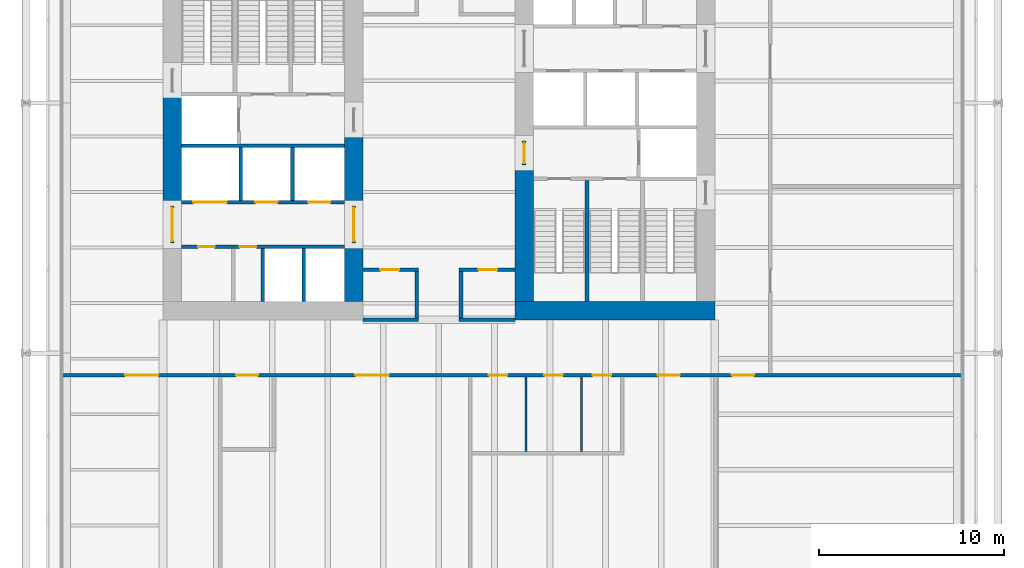
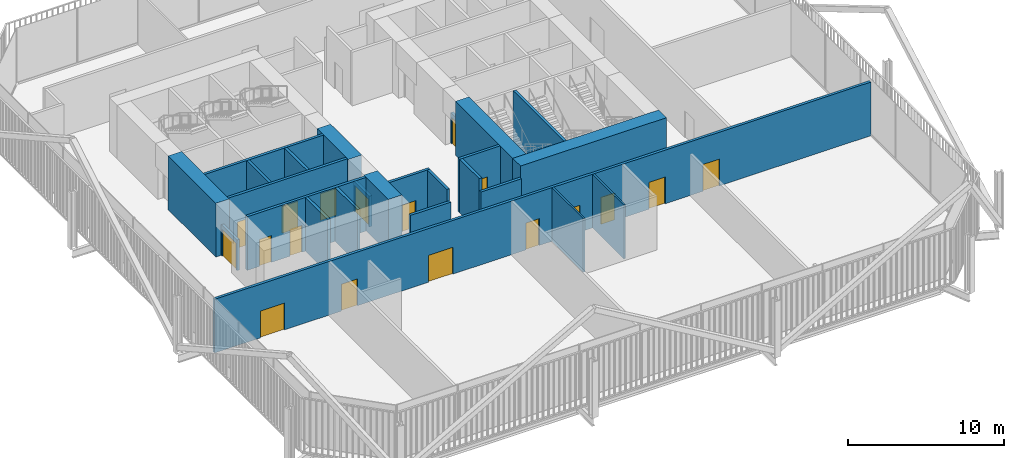
# One storey, part 17 of 21: 25 walls, 18 doors, 18 openings.
"""IFC4 building model written with IfcOpenShell, lengths in metres."""

from ifc_helpers import new_model, si_unit, direction, frame, frame_2d, origin, place, context, subcontext, project, spatial, rectangle, extrude, material, layer, layer_set, type_object, element, fill, save


model = new_model("IFC4")

# Units and contexts
model_context = context("Model", 3, precision=1e-05, world=origin(), true_north=direction((0.0, 1.0)))
body_context = subcontext(model_context, "Body", "Model", "MODEL_VIEW")
ifc_project = project(units=[si_unit("LENGTHUNIT", "METRE"), si_unit("AREAUNIT", "SQUARE_METRE"), si_unit("VOLUMEUNIT", "CUBIC_METRE"), si_unit("PLANEANGLEUNIT", "RADIAN"), si_unit("MASSUNIT", "GRAM", prefix="KILO")], contexts=[model_context])

# Site, building, storey
site_placement = place(None, origin())
site = spatial("IfcSite", under=ifc_project, at=site_placement, CompositionType="ELEMENT")
building_placement = place(site_placement, origin())
building = spatial("IfcBuilding", under=site, at=building_placement, Name="Millrace Tower", CompositionType="ELEMENT")
storey_placement = place(building_placement, frame((0.0, 0.0, 82.0)))
storey = spatial("IfcBuildingStorey", under=building, at=storey_placement, Name="L18", CompositionType="ELEMENT", Elevation=82.0)

# Walls
ifc_material_1 = material(Name="Concrete C80", Category="concrete")
ifc_layer_1 = layer(ifc_material_1, 1.0)
ifc_layer_set_1 = layer_set([ifc_layer_1], Name="Concrete C80")
wall_type_1 = type_object("IfcWallType", Name="Core wall 1000 Concrete C80", PredefinedType="SHEAR", material=ifc_layer_set_1)
wall_1_placement = place(storey_placement, frame((-14.39990234375, -3.75, 0.0), z_axis=(0.0, 0.0, 1.0), x_axis=(0.0, 1.0, 0.0)))
element("IfcWall", 1, at=wall_1_placement, inside=storey, type_object=wall_type_1, Name="Core wall W L18", PredefinedType="SHEAR", context=body_context, shape_type="SweptSolid", body=[
    extrude(rectangle(XDim=6.1298828125, YDim=1.0, at=frame_2d((3.06494140625, 0.0))), origin(), (0.0, 0.0, 1.0), 4.199951171875),
])
wall_2_placement = place(storey_placement, frame((-4.60009765625, -8.89990234375, 0.0), z_axis=(0.0, 0.0, 1.0), x_axis=(0.0, 1.0, 0.0)))
element("IfcWall", 2, at=wall_2_placement, inside=storey, type_object=wall_type_1, Name="Core wall W L18", PredefinedType="SHEAR", context=body_context, shape_type="SweptSolid", body=[
    extrude(rectangle(XDim=3.14990234375, YDim=1.0, at=frame_2d((1.574951171875, 0.0))), origin(), (0.0, 0.0, 1.0), 4.199951171875),
])
wall_3_placement = place(storey_placement, frame((-4.60009765625, -3.75, 0.0), z_axis=(0.0, 0.0, 1.0), x_axis=(0.0, 1.0, 0.0)))
element("IfcWall", 3, at=wall_3_placement, inside=storey, type_object=wall_type_1, Name="Core wall W L18", PredefinedType="SHEAR", context=body_context, shape_type="SweptSolid", body=[
    extrude(rectangle(XDim=4.0, YDim=1.0, at=frame_2d((2.0, 0.0))), origin(), (0.0, 0.0, 1.0), 4.199951171875),
])
wall_4_placement = place(storey_placement, frame((14.89990234375, -9.39990234375, 0.0), z_axis=(0.0, 0.0, 1.0), x_axis=(-1.0, 0.0, 0.0)))
element("IfcWall", 4, at=wall_4_placement, inside=storey, type_object=wall_type_1, Name="Core wall E L18", PredefinedType="SHEAR", context=body_context, shape_type="SweptSolid", body=[
    extrude(rectangle(XDim=10.7998046875, YDim=1.0, at=frame_2d((5.39990234375, 0.0))), origin(), (0.0, 0.0, 1.0), 4.199951171875),
])
wall_5_placement = place(storey_placement, frame((4.60009765625, -1.550048828125, 0.0), z_axis=(0.0, 0.0, 1.0), x_axis=(0.0, -1.0, 0.0)))
element("IfcWall", 5, at=wall_5_placement, inside=storey, type_object=wall_type_1, Name="Core wall E L18", PredefinedType="SHEAR", context=body_context, shape_type="SweptSolid", body=[
    extrude(rectangle(XDim=7.349853515625, YDim=1.0, at=frame_2d((3.6748046875, 0.0))), origin(), (0.0, 0.0, 1.0), 4.199951171875),
])

# Wall, openings, doors
ifc_material_2 = material(Name="Masonry partition, fire-rated", Category="masonry")
ifc_layer_2 = layer(ifc_material_2, 0.199951171875)
ifc_layer_set_2 = layer_set([ifc_layer_2], Name="Masonry partition, fire-rated")
wall_type_2 = type_object("IfcWallType", Name="Corridor wall 200", PredefinedType="PARTITIONING", material=ifc_layer_set_2)
wall_6_placement = place(storey_placement, frame((-20.330078125, -12.89990234375, 0.0), z_axis=(0.0, 0.0, 1.0), x_axis=(1.0, 0.0, 0.0)))
wall_6 = element("IfcWall", 6, at=wall_6_placement, inside=storey, type_object=wall_type_2, Name="Corridor wall L18", PredefinedType="PARTITIONING", context=body_context, shape_type="SweptSolid", body=[
    extrude(rectangle(XDim=48.56005859375, YDim=0.199951171875, at=frame_2d((24.280029296875, 0.0))), origin(), (0.0, 0.0, 1.0), 4.199951171875),
])
opening_1_placement = place(wall_6_placement, frame((3.389892578125, 0.0, 0.0)))
opening_1 = element("IfcOpeningElement", 7, at=opening_1_placement, cuts=wall_6, Name="Opening 18-P005", PredefinedType="OPENING", context=body_context, shape_type="SweptSolid", body=[
    extrude(rectangle(XDim=1.800048828125, YDim=2.10009765625, at=frame_2d((0.89990234375, 1.050048828125))), frame((0.0, 0.10986328125, 0.0), z_axis=(0.0, -1.0, 0.0), x_axis=(1.0, 0.0, 0.0)), (0.0, 0.0, 1.0), 0.219970703125),
])
opening_2_placement = place(wall_6_placement, frame((15.830078125, 0.0, 0.0)))
opening_2 = element("IfcOpeningElement", 8, at=opening_2_placement, cuts=wall_6, Name="Opening 18-P006", PredefinedType="OPENING", context=body_context, shape_type="SweptSolid", body=[
    extrude(rectangle(XDim=1.800048828125, YDim=2.10009765625, at=frame_2d((0.89990234375, 1.050048828125))), frame((0.0, 0.10986328125, 0.0), z_axis=(0.0, -1.0, 0.0), x_axis=(1.0, 0.0, 0.0)), (0.0, 0.0, 1.0), 0.219970703125),
])
opening_3_placement = place(wall_6_placement, frame((9.3798828125, 0.0, 0.0)))
opening_3 = element("IfcOpeningElement", 9, at=opening_3_placement, cuts=wall_6, Name="Opening 18-P007", PredefinedType="OPENING", context=body_context, shape_type="SweptSolid", body=[
    extrude(rectangle(XDim=1.199951171875, YDim=2.10009765625, at=frame_2d((0.60009765625, 1.050048828125))), frame((0.0, 0.10986328125, 0.0), z_axis=(0.0, -1.0, 0.0), x_axis=(1.0, 0.0, 0.0)), (0.0, 0.0, 1.0), 0.219970703125),
])
opening_4_placement = place(wall_6_placement, frame((32.14990234375, 0.0, 0.0)))
opening_4 = element("IfcOpeningElement", 10, at=opening_4_placement, cuts=wall_6, Name="Opening 18-P008", PredefinedType="OPENING", context=body_context, shape_type="SweptSolid", body=[
    extrude(rectangle(XDim=1.199951171875, YDim=2.10009765625, at=frame_2d((0.60009765625, 1.050048828125))), frame((0.0, 0.10986328125, 0.0), z_axis=(0.0, -1.0, 0.0), x_axis=(1.0, 0.0, 0.0)), (0.0, 0.0, 1.0), 0.219970703125),
])
opening_5_placement = place(wall_6_placement, frame((36.155029296875, 0.0, 0.0)))
opening_5 = element("IfcOpeningElement", 11, at=opening_5_placement, cuts=wall_6, Name="Opening 18-P009", PredefinedType="OPENING", context=body_context, shape_type="SweptSolid", body=[
    extrude(rectangle(XDim=1.199951171875, YDim=2.10009765625, at=frame_2d((0.60009765625, 1.050048828125))), frame((0.0, 0.10986328125, 0.0), z_axis=(0.0, -1.0, 0.0), x_axis=(1.0, 0.0, 0.0)), (0.0, 0.0, 1.0), 0.219970703125),
])
opening_6_placement = place(wall_6_placement, frame((23.030029296875, 0.0, 0.0)))
opening_6 = element("IfcOpeningElement", 12, at=opening_6_placement, cuts=wall_6, Name="Opening 18-P017", PredefinedType="OPENING", context=body_context, shape_type="SweptSolid", body=[
    extrude(rectangle(XDim=1.0, YDim=2.10009765625, at=frame_2d((0.5, 1.050048828125))), frame((0.0, 0.10986328125, 0.0), z_axis=(0.0, -1.0, 0.0), x_axis=(1.0, 0.0, 0.0)), (0.0, 0.0, 1.0), 0.219970703125),
])
opening_7_placement = place(wall_6_placement, frame((26.030029296875, 0.0, 0.0)))
opening_7 = element("IfcOpeningElement", 13, at=opening_7_placement, cuts=wall_6, Name="Opening 18-P018", PredefinedType="OPENING", context=body_context, shape_type="SweptSolid", body=[
    extrude(rectangle(XDim=1.0, YDim=2.10009765625, at=frame_2d((0.5, 1.050048828125))), frame((0.0, 0.10986328125, 0.0), z_axis=(0.0, -1.0, 0.0), x_axis=(1.0, 0.0, 0.0)), (0.0, 0.0, 1.0), 0.219970703125),
])
opening_8_placement = place(wall_6_placement, frame((28.6298828125, 0.0, 0.0)))
opening_8 = element("IfcOpeningElement", 14, at=opening_8_placement, cuts=wall_6, Name="Opening 18-P019", PredefinedType="OPENING", context=body_context, shape_type="SweptSolid", body=[
    extrude(rectangle(XDim=1.0, YDim=2.10009765625, at=frame_2d((0.5, 1.050048828125))), frame((0.0, 0.10986328125, 0.0), z_axis=(0.0, -1.0, 0.0), x_axis=(1.0, 0.0, 0.0)), (0.0, 0.0, 1.0), 0.219970703125),
])
ifc_material_3 = material(Name="Steel door set, fire-rated", Category="steel")
door_type_1 = type_object("IfcDoorType", Name="Corridor door 1000 x 2100", OperationType="SINGLE_SWING_LEFT", PredefinedType="DOOR", material=ifc_material_3)
door_1_placement = place(opening_6_placement, frame((1.0, 0.0, 0.0), z_axis=(0.0, 0.0, 1.0), x_axis=(-1.0, 0.0, 0.0)))
door_1 = element("IfcDoor", 15, at=door_1_placement, inside=storey, type_object=door_type_1, Name="Door 18-P017", OperationType="SINGLE_SWING_RIGHT", OverallHeight=2.10009765625, OverallWidth=1.0, PredefinedType="DOOR", context=body_context, shape_type="SweptSolid", body=[
    extrude(rectangle(XDim=1.0, YDim=2.10009765625, at=frame_2d((0.5, 1.050048828125))), frame((0.0, 0.02490234375, 0.0), z_axis=(0.0, -1.0, 0.0), x_axis=(1.0, 0.0, 0.0)), (0.0, 0.0, 1.0), 0.050048828125),
])
fill(opening_6, door_1)
door_2_placement = place(opening_7_placement, frame((1.0, 0.0, 0.0), z_axis=(0.0, 0.0, 1.0), x_axis=(-1.0, 0.0, 0.0)))
door_2 = element("IfcDoor", 16, at=door_2_placement, inside=storey, type_object=door_type_1, Name="Door 18-P018", OperationType="SINGLE_SWING_LEFT", OverallHeight=2.10009765625, OverallWidth=1.0, PredefinedType="DOOR", context=body_context, shape_type="SweptSolid", body=[
    extrude(rectangle(XDim=1.0, YDim=2.10009765625, at=frame_2d((0.5, 1.050048828125))), frame((0.0, 0.02490234375, 0.0), z_axis=(0.0, -1.0, 0.0), x_axis=(1.0, 0.0, 0.0)), (0.0, 0.0, 1.0), 0.050048828125),
])
fill(opening_7, door_2)
door_3_placement = place(opening_8_placement, frame((1.0, 0.0, 0.0), z_axis=(0.0, 0.0, 1.0), x_axis=(-1.0, 0.0, 0.0)))
door_3 = element("IfcDoor", 17, at=door_3_placement, inside=storey, type_object=door_type_1, Name="Door 18-P019", OperationType="SINGLE_SWING_LEFT", OverallHeight=2.10009765625, OverallWidth=1.0, PredefinedType="DOOR", context=body_context, shape_type="SweptSolid", body=[
    extrude(rectangle(XDim=1.0, YDim=2.10009765625, at=frame_2d((0.5, 1.050048828125))), frame((0.0, 0.02490234375, 0.0), z_axis=(0.0, -1.0, 0.0), x_axis=(1.0, 0.0, 0.0)), (0.0, 0.0, 1.0), 0.050048828125),
])
fill(opening_8, door_3)
ifc_material_4 = material(Name="Steel door set, fire-rated", Category="steel")
door_type_2 = type_object("IfcDoorType", Name="Corridor door 1200 x 2100", OperationType="SINGLE_SWING_LEFT", PredefinedType="DOOR", material=ifc_material_4)
door_4_placement = place(opening_3_placement, frame((1.199951171875, 0.0, 0.0), z_axis=(0.0, 0.0, 1.0), x_axis=(-1.0, 0.0, 0.0)))
door_4 = element("IfcDoor", 18, at=door_4_placement, inside=storey, type_object=door_type_2, Name="Door 18-P007", OperationType="SINGLE_SWING_RIGHT", OverallHeight=2.10009765625, OverallWidth=1.199951171875, PredefinedType="DOOR", context=body_context, shape_type="SweptSolid", body=[
    extrude(rectangle(XDim=1.199951171875, YDim=2.10009765625, at=frame_2d((0.60009765625, 1.050048828125))), frame((0.0, 0.02490234375, 0.0), z_axis=(0.0, -1.0, 0.0), x_axis=(1.0, 0.0, 0.0)), (0.0, 0.0, 1.0), 0.050048828125),
])
fill(opening_3, door_4)
ifc_material_5 = material(Name="Steel door set, fire-rated", Category="steel")
door_type_3 = type_object("IfcDoorType", Name="Data hall door 1200 x 2100", OperationType="SINGLE_SWING_LEFT", PredefinedType="DOOR", material=ifc_material_5)
door_5_placement = place(opening_4_placement, frame((1.199951171875, 0.0, 0.0), z_axis=(0.0, 0.0, 1.0), x_axis=(-1.0, 0.0, 0.0)))
door_5 = element("IfcDoor", 19, at=door_5_placement, inside=storey, type_object=door_type_3, Name="Door 18-P008", OperationType="SINGLE_SWING_LEFT", OverallHeight=2.10009765625, OverallWidth=1.199951171875, PredefinedType="DOOR", context=body_context, shape_type="SweptSolid", body=[
    extrude(rectangle(XDim=1.199951171875, YDim=2.10009765625, at=frame_2d((0.60009765625, 1.050048828125))), frame((0.0, 0.02490234375, 0.0), z_axis=(0.0, -1.0, 0.0), x_axis=(1.0, 0.0, 0.0)), (0.0, 0.0, 1.0), 0.050048828125),
])
fill(opening_4, door_5)
door_6_placement = place(opening_5_placement, frame((1.199951171875, 0.0, 0.0), z_axis=(0.0, 0.0, 1.0), x_axis=(-1.0, 0.0, 0.0)))
door_6 = element("IfcDoor", 20, at=door_6_placement, inside=storey, type_object=door_type_3, Name="Door 18-P009", OperationType="SINGLE_SWING_LEFT", OverallHeight=2.10009765625, OverallWidth=1.199951171875, PredefinedType="DOOR", context=body_context, shape_type="SweptSolid", body=[
    extrude(rectangle(XDim=1.199951171875, YDim=2.10009765625, at=frame_2d((0.60009765625, 1.050048828125))), frame((0.0, 0.02490234375, 0.0), z_axis=(0.0, -1.0, 0.0), x_axis=(1.0, 0.0, 0.0)), (0.0, 0.0, 1.0), 0.050048828125),
])
fill(opening_5, door_6)
ifc_material_6 = material(Name="Steel door set, fire-rated", Category="steel")
door_type_4 = type_object("IfcDoorType", Name="Data hall door 1800 x 2100", OperationType="DOUBLE_DOOR_SINGLE_SWING", PredefinedType="DOOR", material=ifc_material_6)
door_7_placement = place(opening_1_placement, frame((1.800048828125, 0.0, 0.0), z_axis=(0.0, 0.0, 1.0), x_axis=(-1.0, 0.0, 0.0)))
door_7 = element("IfcDoor", 21, at=door_7_placement, inside=storey, type_object=door_type_4, Name="Door 18-P005", OperationType="DOUBLE_DOOR_SINGLE_SWING", OverallHeight=2.10009765625, OverallWidth=1.800048828125, PredefinedType="DOOR", context=body_context, shape_type="SweptSolid", body=[
    extrude(rectangle(XDim=1.800048828125, YDim=2.10009765625, at=frame_2d((0.89990234375, 1.050048828125))), frame((0.0, 0.02490234375, 0.0), z_axis=(0.0, -1.0, 0.0), x_axis=(1.0, 0.0, 0.0)), (0.0, 0.0, 1.0), 0.050048828125),
])
fill(opening_1, door_7)
door_8_placement = place(opening_2_placement, frame((1.800048828125, 0.0, 0.0), z_axis=(0.0, 0.0, 1.0), x_axis=(-1.0, 0.0, 0.0)))
door_8 = element("IfcDoor", 22, at=door_8_placement, inside=storey, type_object=door_type_4, Name="Door 18-P006", OperationType="DOUBLE_DOOR_SINGLE_SWING", OverallHeight=2.10009765625, OverallWidth=1.800048828125, PredefinedType="DOOR", context=body_context, shape_type="SweptSolid", body=[
    extrude(rectangle(XDim=1.800048828125, YDim=2.10009765625, at=frame_2d((0.89990234375, 1.050048828125))), frame((0.0, 0.02490234375, 0.0), z_axis=(0.0, -1.0, 0.0), x_axis=(1.0, 0.0, 0.0)), (0.0, 0.0, 1.0), 0.050048828125),
])
fill(opening_2, door_8)

# Walls
for number, where, z_axis, x_axis, name in (
    (23, (-4.10009765625, -9.89990234375, 0.0), (0.0, 0.0, 1.0), (1.0, 0.0, 0.0), "Corridor wall L18"),
    (24, (1.10009765625, -9.89990234375, 0.0), (0.0, 0.0, 1.0), (1.0, 0.0, 0.0), "Corridor wall L18"),
):
    element("IfcWall", number, at=place(storey_placement, frame(where, z_axis=z_axis, x_axis=x_axis)), inside=storey, type_object=wall_type_2, Name=name, PredefinedType="PARTITIONING", context=body_context, shape_type="SweptSolid", body=[
        extrude(rectangle(XDim=3.0, YDim=0.199951171875, at=frame_2d((1.5, 0.0))), origin(), (0.0, 0.0, 1.0), 3.2626953125),
    ])

# Wall, opening, door
wall_7_placement = place(storey_placement, frame((-4.10009765625, -7.199951171875, 0.0), z_axis=(0.0, 0.0, 1.0), x_axis=(1.0, 0.0, 0.0)))
wall_7 = element("IfcWall", 25, at=wall_7_placement, inside=storey, type_object=wall_type_2, Name="Corridor wall L18", PredefinedType="PARTITIONING", context=body_context, shape_type="SweptSolid", body=[
    extrude(rectangle(XDim=3.0, YDim=0.199951171875, at=frame_2d((1.5, 0.0))), origin(), (0.0, 0.0, 1.0), 4.199951171875),
])
opening_9_placement = place(wall_7_placement, frame((0.949951171875, 0.0, 0.0)))
opening_9 = element("IfcOpeningElement", 26, at=opening_9_placement, cuts=wall_7, Name="Opening 18-P003", PredefinedType="OPENING", context=body_context, shape_type="SweptSolid", body=[
    extrude(rectangle(XDim=1.0, YDim=2.10009765625, at=frame_2d((0.5, 1.050048828125))), frame((0.0, 0.10986328125, 0.0), z_axis=(0.0, -1.0, 0.0), x_axis=(1.0, 0.0, 0.0)), (0.0, 0.0, 1.0), 0.219970703125),
])
door_9_placement = place(opening_9_placement, frame((1.0, 0.0, 0.0), z_axis=(0.0, 0.0, 1.0), x_axis=(-1.0, 0.0, 0.0)))
door_9 = element("IfcDoor", 27, at=door_9_placement, inside=storey, type_object=door_type_1, Name="Door 18-P003", OperationType="SINGLE_SWING_LEFT", OverallHeight=2.10009765625, OverallWidth=1.0, PredefinedType="DOOR", context=body_context, shape_type="SweptSolid", body=[
    extrude(rectangle(XDim=1.0, YDim=2.10009765625, at=frame_2d((0.5, 1.050048828125))), frame((0.0, 0.02490234375, 0.0), z_axis=(0.0, -1.0, 0.0), x_axis=(1.0, 0.0, 0.0)), (0.0, 0.0, 1.0), 0.050048828125),
])
fill(opening_9, door_9)

wall_8_placement = place(storey_placement, frame((1.10009765625, -7.199951171875, 0.0), z_axis=(0.0, 0.0, 1.0), x_axis=(1.0, 0.0, 0.0)))
wall_8 = element("IfcWall", 28, at=wall_8_placement, inside=storey, type_object=wall_type_2, Name="Corridor wall L18", PredefinedType="PARTITIONING", context=body_context, shape_type="SweptSolid", body=[
    extrude(rectangle(XDim=3.0, YDim=0.199951171875, at=frame_2d((1.5, 0.0))), origin(), (0.0, 0.0, 1.0), 4.199951171875),
])
opening_10_placement = place(wall_8_placement, frame((1.050048828125, 0.0, 0.0)))
opening_10 = element("IfcOpeningElement", 29, at=opening_10_placement, cuts=wall_8, Name="Opening 18-P004", PredefinedType="OPENING", context=body_context, shape_type="SweptSolid", body=[
    extrude(rectangle(XDim=1.0, YDim=2.10009765625, at=frame_2d((0.5, 1.050048828125))), frame((0.0, 0.10986328125, 0.0), z_axis=(0.0, -1.0, 0.0), x_axis=(1.0, 0.0, 0.0)), (0.0, 0.0, 1.0), 0.219970703125),
])
door_10_placement = place(opening_10_placement, frame((1.0, 0.0, 0.0), z_axis=(0.0, 0.0, 1.0), x_axis=(-1.0, 0.0, 0.0)))
door_10 = element("IfcDoor", 30, at=door_10_placement, inside=storey, type_object=door_type_1, Name="Door 18-P004", OperationType="SINGLE_SWING_LEFT", OverallHeight=2.10009765625, OverallWidth=1.0, PredefinedType="DOOR", context=body_context, shape_type="SweptSolid", body=[
    extrude(rectangle(XDim=1.0, YDim=2.10009765625, at=frame_2d((0.5, 1.050048828125))), frame((0.0, 0.02490234375, 0.0), z_axis=(0.0, -1.0, 0.0), x_axis=(1.0, 0.0, 0.0)), (0.0, 0.0, 1.0), 0.050048828125),
])
fill(opening_10, door_10)

# Walls
for number, where, z_axis, x_axis, name in (
    (31, (1.199951171875, -9.800048828125, 0.0), (0.0, 0.0, 1.0), (0.0, 1.0, 0.0), "Corridor wall L18"),
    (32, (-1.199951171875, -9.800048828125, 0.0), (0.0, 0.0, 1.0), (0.0, 1.0, 0.0), "Corridor wall L18"),
):
    element("IfcWall", number, at=place(storey_placement, frame(where, z_axis=z_axis, x_axis=x_axis)), inside=storey, type_object=wall_type_2, Name=name, PredefinedType="PARTITIONING", context=body_context, shape_type="SweptSolid", body=[
        extrude(rectangle(XDim=2.5, YDim=0.199951171875, at=frame_2d((1.25, 0.0))), origin(), (0.0, 0.0, 1.0), 4.199951171875),
    ])

# Wall, openings, doors
ifc_material_7 = material(Name="Masonry partition, fire-rated", Category="masonry")
ifc_layer_3 = layer(ifc_material_7, 0.199951171875)
ifc_layer_set_3 = layer_set([ifc_layer_3], Name="Masonry partition, fire-rated")
wall_type_3 = type_object("IfcWallType", Name="Lift shaft wall 200", PredefinedType="PARTITIONING", material=ifc_layer_set_3)
wall_9_placement = place(storey_placement, frame((-13.89990234375, -5.949951171875, 0.0), z_axis=(0.0, 0.0, 1.0), x_axis=(1.0, 0.0, 0.0)))
wall_9 = element("IfcWall", 33, at=wall_9_placement, inside=storey, type_object=wall_type_3, Name="Lift shaft wall W L18", PredefinedType="PARTITIONING", context=body_context, shape_type="SweptSolid", body=[
    extrude(rectangle(XDim=8.7998046875, YDim=0.199951171875, at=frame_2d((4.39990234375, 0.0))), origin(), (0.0, 0.0, 1.0), 4.199951171875),
])
opening_11_placement = place(wall_9_placement, frame((0.8974609375, 0.0, 0.0)))
opening_11 = element("IfcOpeningElement", 34, at=opening_11_placement, cuts=wall_9, Name="Opening 18-C005", PredefinedType="OPENING", context=body_context, shape_type="SweptSolid", body=[
    extrude(rectangle(XDim=0.89990234375, YDim=2.10009765625, at=frame_2d((0.449951171875, 1.050048828125))), frame((0.0, 0.10986328125, 0.0), z_axis=(0.0, -1.0, 0.0), x_axis=(1.0, 0.0, 0.0)), (0.0, 0.0, 1.0), 0.219970703125),
])
opening_12_placement = place(wall_9_placement, frame((3.1474609375, 0.0, 0.0)))
opening_12 = element("IfcOpeningElement", 35, at=opening_12_placement, cuts=wall_9, Name="Opening 18-C006", PredefinedType="OPENING", context=body_context, shape_type="SweptSolid", body=[
    extrude(rectangle(XDim=0.89990234375, YDim=2.10009765625, at=frame_2d((0.449951171875, 1.050048828125))), frame((0.0, 0.10986328125, 0.0), z_axis=(0.0, -1.0, 0.0), x_axis=(1.0, 0.0, 0.0)), (0.0, 0.0, 1.0), 0.219970703125),
])
ifc_material_8 = material(Name="Steel door, fire-rated", Category="steel")
door_type_5 = type_object("IfcDoorType", Name="Service room door 900 x 2100", OperationType="SINGLE_SWING_LEFT", PredefinedType="DOOR", material=ifc_material_8)
door_11_placement = place(opening_11_placement, frame((0.89990234375, 0.0, 0.0), z_axis=(0.0, 0.0, 1.0), x_axis=(-1.0, 0.0, 0.0)))
door_11 = element("IfcDoor", 36, at=door_11_placement, inside=storey, type_object=door_type_5, Name="Service room door 18-C005", OperationType="SINGLE_SWING_RIGHT", OverallHeight=2.10009765625, OverallWidth=0.89990234375, PredefinedType="DOOR", context=body_context, shape_type="SweptSolid", body=[
    extrude(rectangle(XDim=0.89990234375, YDim=2.10009765625, at=frame_2d((0.449951171875, 1.050048828125))), frame((0.0, 0.02490234375, 0.0), z_axis=(0.0, -1.0, 0.0), x_axis=(1.0, 0.0, 0.0)), (0.0, 0.0, 1.0), 0.050048828125),
])
fill(opening_11, door_11)
door_12_placement = place(opening_12_placement, frame((0.89990234375, 0.0, 0.0), z_axis=(0.0, 0.0, 1.0), x_axis=(-1.0, 0.0, 0.0)))
door_12 = element("IfcDoor", 37, at=door_12_placement, inside=storey, type_object=door_type_5, Name="Service room door 18-C006", OperationType="SINGLE_SWING_RIGHT", OverallHeight=2.10009765625, OverallWidth=0.89990234375, PredefinedType="DOOR", context=body_context, shape_type="SweptSolid", body=[
    extrude(rectangle(XDim=0.89990234375, YDim=2.10009765625, at=frame_2d((0.449951171875, 1.050048828125))), frame((0.0, 0.02490234375, 0.0), z_axis=(0.0, -1.0, 0.0), x_axis=(1.0, 0.0, 0.0)), (0.0, 0.0, 1.0), 0.050048828125),
])
fill(opening_12, door_12)

wall_10_placement = place(storey_placement, frame((-13.89990234375, -3.550048828125, 0.0), z_axis=(0.0, 0.0, 1.0), x_axis=(1.0, 0.0, 0.0)))
wall_10 = element("IfcWall", 38, at=wall_10_placement, inside=storey, type_object=wall_type_3, Name="Lift shaft wall W L18", PredefinedType="PARTITIONING", context=body_context, shape_type="SweptSolid", body=[
    extrude(rectangle(XDim=8.7998046875, YDim=0.199951171875, at=frame_2d((4.39990234375, 0.0))), origin(), (0.0, 0.0, 1.0), 4.199951171875),
])
opening_13_placement = place(wall_10_placement, frame((0.64990234375, 0.0, 0.0)))
opening_13 = element("IfcOpeningElement", 39, at=opening_13_placement, cuts=wall_10, Name="Opening 18-LD05", PredefinedType="OPENING", context=body_context, shape_type="SweptSolid", body=[
    extrude(rectangle(XDim=1.800048828125, YDim=2.10009765625, at=frame_2d((0.89990234375, 1.050048828125))), frame((0.0, 0.10986328125, 0.0), z_axis=(0.0, -1.0, 0.0), x_axis=(1.0, 0.0, 0.0)), (0.0, 0.0, 1.0), 0.219970703125),
])
opening_14_placement = place(wall_10_placement, frame((4.0, 0.0, 0.0)))
opening_14 = element("IfcOpeningElement", 40, at=opening_14_placement, cuts=wall_10, Name="Opening 18-LD06", PredefinedType="OPENING", context=body_context, shape_type="SweptSolid", body=[
    extrude(rectangle(XDim=1.199951171875, YDim=2.10009765625, at=frame_2d((0.60009765625, 1.050048828125))), frame((0.0, 0.10986328125, 0.0), z_axis=(0.0, -1.0, 0.0), x_axis=(1.0, 0.0, 0.0)), (0.0, 0.0, 1.0), 0.219970703125),
])
opening_15_placement = place(wall_10_placement, frame((6.85009765625, 0.0, 0.0)))
opening_15 = element("IfcOpeningElement", 41, at=opening_15_placement, cuts=wall_10, Name="Opening 18-LD07", PredefinedType="OPENING", context=body_context, shape_type="SweptSolid", body=[
    extrude(rectangle(XDim=1.199951171875, YDim=2.10009765625, at=frame_2d((0.60009765625, 1.050048828125))), frame((0.0, 0.10986328125, 0.0), z_axis=(0.0, -1.0, 0.0), x_axis=(1.0, 0.0, 0.0)), (0.0, 0.0, 1.0), 0.219970703125),
])
ifc_material_9 = material(Name="Stainless steel, fire-rated", Category="steel")
door_type_6 = type_object("IfcDoorType", Name="Lift landing door 1200 x 2100", OperationType="DOUBLE_DOOR_SLIDING", PredefinedType="DOOR", material=ifc_material_9)
door_13_placement = place(opening_14_placement, origin())
door_13 = element("IfcDoor", 42, at=door_13_placement, inside=storey, type_object=door_type_6, Name="Lift landing door LF6 L18", OperationType="DOUBLE_DOOR_SLIDING", OverallHeight=2.10009765625, OverallWidth=1.199951171875, PredefinedType="DOOR", context=body_context, shape_type="SweptSolid", body=[
    extrude(rectangle(XDim=1.199951171875, YDim=2.10009765625, at=frame_2d((0.60009765625, 1.050048828125))), frame((0.0, 0.02490234375, 0.0), z_axis=(0.0, -1.0, 0.0), x_axis=(1.0, 0.0, 0.0)), (0.0, 0.0, 1.0), 0.050048828125),
])
fill(opening_14, door_13)
door_14_placement = place(opening_15_placement, origin())
door_14 = element("IfcDoor", 43, at=door_14_placement, inside=storey, type_object=door_type_6, Name="Lift landing door LF7 L18", OperationType="DOUBLE_DOOR_SLIDING", OverallHeight=2.10009765625, OverallWidth=1.199951171875, PredefinedType="DOOR", context=body_context, shape_type="SweptSolid", body=[
    extrude(rectangle(XDim=1.199951171875, YDim=2.10009765625, at=frame_2d((0.60009765625, 1.050048828125))), frame((0.0, 0.02490234375, 0.0), z_axis=(0.0, -1.0, 0.0), x_axis=(1.0, 0.0, 0.0)), (0.0, 0.0, 1.0), 0.050048828125),
])
fill(opening_15, door_14)
ifc_material_10 = material(Name="Stainless steel, fire-rated", Category="steel")
door_type_7 = type_object("IfcDoorType", Name="Lift landing door 1800 x 2100", OperationType="DOUBLE_DOOR_SLIDING", PredefinedType="DOOR", material=ifc_material_10)
door_15_placement = place(opening_13_placement, origin())
door_15 = element("IfcDoor", 44, at=door_15_placement, inside=storey, type_object=door_type_7, Name="Lift landing door LF5 L18", OperationType="DOUBLE_DOOR_SLIDING", OverallHeight=2.10009765625, OverallWidth=1.800048828125, PredefinedType="DOOR", context=body_context, shape_type="SweptSolid", body=[
    extrude(rectangle(XDim=1.800048828125, YDim=2.10009765625, at=frame_2d((0.89990234375, 1.050048828125))), frame((0.0, 0.02490234375, 0.0), z_axis=(0.0, -1.0, 0.0), x_axis=(1.0, 0.0, 0.0)), (0.0, 0.0, 1.0), 0.050048828125),
])
fill(opening_13, door_15)

# Walls
wall_11_placement = place(storey_placement, frame((-13.89990234375, -0.5, 0.0), z_axis=(0.0, 0.0, 1.0), x_axis=(1.0, 0.0, 0.0)))
element("IfcWall", 45, at=wall_11_placement, inside=storey, type_object=wall_type_3, Name="Lift shaft wall W L18", PredefinedType="PARTITIONING", context=body_context, shape_type="SweptSolid", body=[
    extrude(rectangle(XDim=8.7998046875, YDim=0.199951171875, at=frame_2d((4.39990234375, 0.0))), origin(), (0.0, 0.0, 1.0), 4.199951171875),
])
for number, where, z_axis, x_axis, name in (
    (46, (-9.5, -8.89990234375, 0.0), (0.0, 0.0, 1.0), (0.0, 1.0, 0.0), "Lift shaft wall W L18"),
    (47, (-7.300048828125, -8.89990234375, 0.0), (0.0, 0.0, 1.0), (0.0, 1.0, 0.0), "Lift shaft wall W L18"),
    (48, (-10.699951171875, -3.449951171875, 0.0), (0.0, 0.0, 1.0), (0.0, 1.0, 0.0), "Lift shaft wall W L18"),
    (49, (-7.89990234375, -3.449951171875, 0.0), (0.0, 0.0, 1.0), (0.0, 1.0, 0.0), "Lift shaft wall W L18"),
):
    element("IfcWall", number, at=place(storey_placement, frame(where, z_axis=z_axis, x_axis=x_axis)), inside=storey, type_object=wall_type_3, Name=name, PredefinedType="PARTITIONING", context=body_context, shape_type="SweptSolid", body=[
        extrude(rectangle(XDim=2.849853515625, YDim=0.199951171875, at=frame_2d((1.4248046875, 0.0))), origin(), (0.0, 0.0, 1.0), 4.199951171875),
    ])

# Wall, opening, door
ifc_material_11 = material(Name="Masonry partition, fire-rated", Category="masonry")
ifc_layer_4 = layer(ifc_material_11, 0.199951171875)
ifc_layer_set_4 = layer_set([ifc_layer_4], Name="Masonry partition, fire-rated")
wall_type_4 = type_object("IfcWallType", Name="Lobby wall 200", PredefinedType="PARTITIONING", material=ifc_layer_set_4)
wall_12_placement = place(storey_placement, frame((-14.39990234375, -5.75, 0.0), z_axis=(0.0, 0.0, 1.0), x_axis=(0.0, 1.0, 0.0)))
wall_12 = element("IfcWall", 50, at=wall_12_placement, inside=storey, type_object=wall_type_4, Name="Lobby wall W L18", PredefinedType="PARTITIONING", context=body_context, shape_type="SweptSolid", body=[
    extrude(rectangle(XDim=2.0, YDim=0.199951171875, at=frame_2d((1.0, 0.0))), origin(), (0.0, 0.0, 1.0), 2.39990234375),
])
opening_16_placement = place(wall_12_placement, frame((0.10009765625, 0.0, 0.0)))
opening_16 = element("IfcOpeningElement", 51, at=opening_16_placement, cuts=wall_12, Name="Opening 18-C001", PredefinedType="OPENING", context=body_context, shape_type="SweptSolid", body=[
    extrude(rectangle(XDim=1.800048828125, YDim=2.10009765625, at=frame_2d((0.89990234375, 1.050048828125))), frame((0.0, 0.10986328125, 0.0), z_axis=(0.0, -1.0, 0.0), x_axis=(1.0, 0.0, 0.0)), (0.0, 0.0, 1.0), 0.219970703125),
])
ifc_material_12 = material(Name="Steel door, fire-rated", Category="steel")
door_type_8 = type_object("IfcDoorType", Name="Lobby door 1800 x 2100", OperationType="DOUBLE_DOOR_SINGLE_SWING", PredefinedType="DOOR", material=ifc_material_12)
door_16_placement = place(opening_16_placement, origin())
door_16 = element("IfcDoor", 52, at=door_16_placement, inside=storey, type_object=door_type_8, Name="Lobby door 18-C001", OperationType="DOUBLE_DOOR_SINGLE_SWING", OverallHeight=2.10009765625, OverallWidth=1.800048828125, PredefinedType="DOOR", context=body_context, shape_type="SweptSolid", body=[
    extrude(rectangle(XDim=1.800048828125, YDim=2.10009765625, at=frame_2d((0.89990234375, 1.050048828125))), frame((0.0, 0.02490234375, 0.0), z_axis=(0.0, -1.0, 0.0), x_axis=(1.0, 0.0, 0.0)), (0.0, 0.0, 1.0), 0.050048828125),
])
fill(opening_16, door_16)

wall_13_placement = place(storey_placement, frame((-4.60009765625, -5.75, 0.0), z_axis=(0.0, 0.0, 1.0), x_axis=(0.0, 1.0, 0.0)))
wall_13 = element("IfcWall", 53, at=wall_13_placement, inside=storey, type_object=wall_type_4, Name="Lobby wall W L18", PredefinedType="PARTITIONING", context=body_context, shape_type="SweptSolid", body=[
    extrude(rectangle(XDim=2.0, YDim=0.199951171875, at=frame_2d((1.0, 0.0))), origin(), (0.0, 0.0, 1.0), 2.39990234375),
])
opening_17_placement = place(wall_13_placement, frame((0.10009765625, 0.0, 0.0)))
opening_17 = element("IfcOpeningElement", 54, at=opening_17_placement, cuts=wall_13, Name="Opening 18-C003", PredefinedType="OPENING", context=body_context, shape_type="SweptSolid", body=[
    extrude(rectangle(XDim=1.800048828125, YDim=2.10009765625, at=frame_2d((0.89990234375, 1.050048828125))), frame((0.0, 0.10986328125, 0.0), z_axis=(0.0, -1.0, 0.0), x_axis=(1.0, 0.0, 0.0)), (0.0, 0.0, 1.0), 0.219970703125),
])
door_17_placement = place(opening_17_placement, origin())
door_17 = element("IfcDoor", 55, at=door_17_placement, inside=storey, type_object=door_type_8, Name="Lobby door 18-C003", OperationType="DOUBLE_DOOR_SINGLE_SWING", OverallHeight=2.10009765625, OverallWidth=1.800048828125, PredefinedType="DOOR", context=body_context, shape_type="SweptSolid", body=[
    extrude(rectangle(XDim=1.800048828125, YDim=2.10009765625, at=frame_2d((0.89990234375, 1.050048828125))), frame((0.0, 0.02490234375, 0.0), z_axis=(0.0, -1.0, 0.0), x_axis=(1.0, 0.0, 0.0)), (0.0, 0.0, 1.0), 0.050048828125),
])
fill(opening_17, door_17)

wall_14_placement = place(storey_placement, frame((4.60009765625, -0.25, 0.0), z_axis=(0.0, 0.0, 1.0), x_axis=(0.0, -1.0, 0.0)))
wall_14 = element("IfcWall", 56, at=wall_14_placement, inside=storey, type_object=wall_type_4, Name="Lobby wall E L18", PredefinedType="PARTITIONING", context=body_context, shape_type="SweptSolid", body=[
    extrude(rectangle(XDim=1.300048828125, YDim=0.199951171875, at=frame_2d((0.64990234375, 0.0))), origin(), (0.0, 0.0, 1.0), 2.39990234375),
])
opening_18_placement = place(wall_14_placement, frame((0.10009765625, 0.0, 0.0)))
opening_18 = element("IfcOpeningElement", 57, at=opening_18_placement, cuts=wall_14, Name="Opening 18-C012", PredefinedType="OPENING", context=body_context, shape_type="SweptSolid", body=[
    extrude(rectangle(XDim=1.10009765625, YDim=2.10009765625, at=frame_2d((0.550048828125, 1.050048828125))), frame((0.0, 0.10986328125, 0.0), z_axis=(0.0, -1.0, 0.0), x_axis=(1.0, 0.0, 0.0)), (0.0, 0.0, 1.0), 0.219970703125),
])
ifc_material_13 = material(Name="Steel door, fire-rated", Category="steel")
door_type_9 = type_object("IfcDoorType", Name="Lobby door 1100 x 2100", OperationType="SINGLE_SWING_LEFT", PredefinedType="DOOR", material=ifc_material_13)
door_18_placement = place(opening_18_placement, origin())
door_18 = element("IfcDoor", 58, at=door_18_placement, inside=storey, type_object=door_type_9, Name="Lobby door 18-C012", OperationType="SINGLE_SWING_LEFT", OverallHeight=2.10009765625, OverallWidth=1.10009765625, PredefinedType="DOOR", context=body_context, shape_type="SweptSolid", body=[
    extrude(rectangle(XDim=1.10009765625, YDim=2.10009765625, at=frame_2d((0.550048828125, 1.050048828125))), frame((0.0, 0.02490234375, 0.0), z_axis=(0.0, -1.0, 0.0), x_axis=(1.0, 0.0, 0.0)), (0.0, 0.0, 1.0), 0.050048828125),
])
fill(opening_18, door_18)

# Walls
ifc_material_14 = material(Name="Gypsum board partition")
ifc_layer_5 = layer(ifc_material_14, 0.1201171875)
ifc_layer_set_5 = layer_set([ifc_layer_5], Name="Gypsum board partition")
wall_type_5 = type_object("IfcWallType", Name="Partition wall 120", PredefinedType="PARTITIONING", material=ifc_layer_set_5)
for number, where, z_axis, x_axis, name in (
    (59, (7.699951171875, -17.0, 0.0), (0.0, 0.0, 1.0), (0.0, 1.0, 0.0), "Partition wall L18"),
    (60, (4.699951171875, -17.0, 0.0), (0.0, 0.0, 1.0), (0.0, 1.0, 0.0), "Partition wall L18"),
):
    element("IfcWall", number, at=place(storey_placement, frame(where, z_axis=z_axis, x_axis=x_axis)), inside=storey, type_object=wall_type_5, Name=name, PredefinedType="PARTITIONING", context=body_context, shape_type="SweptSolid", body=[
        extrude(rectangle(XDim=4.0, YDim=0.1201171875, at=frame_2d((2.0, 0.0))), origin(), (0.0, 0.0, 1.0), 4.199951171875),
    ])
ifc_material_15 = material(Name="Concrete C40", Category="concrete")
ifc_layer_6 = layer(ifc_material_15, 0.199951171875)
ifc_layer_set_6 = layer_set([ifc_layer_6], Name="Concrete C40")
wall_type_6 = type_object("IfcWallType", Name="Stair enclosure wall 200 Concrete C40", PredefinedType="SHEAR", material=ifc_layer_set_6)
wall_15_placement = place(storey_placement, frame((8.0, -2.3798828125, 0.0), z_axis=(0.0, 0.0, 1.0), x_axis=(0.0, -1.0, 0.0)))
element("IfcWall", 61, at=wall_15_placement, inside=storey, type_object=wall_type_6, Name="Stair enclosure wall E L18", PredefinedType="SHEAR", context=body_context, shape_type="SweptSolid", body=[
    extrude(rectangle(XDim=6.52001953125, YDim=0.199951171875, at=frame_2d((3.260009765625, 0.0))), origin(), (0.0, 0.0, 1.0), 4.199951171875),
])

save(model, "model.ifc")
